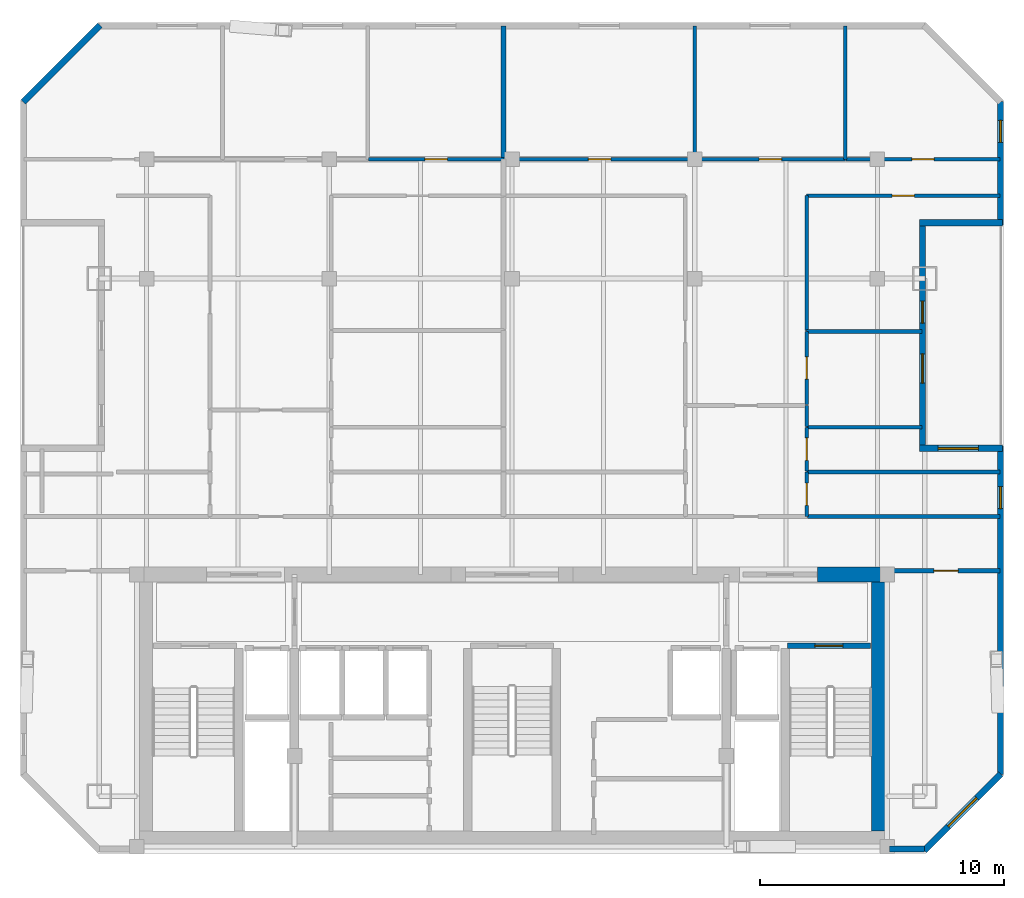
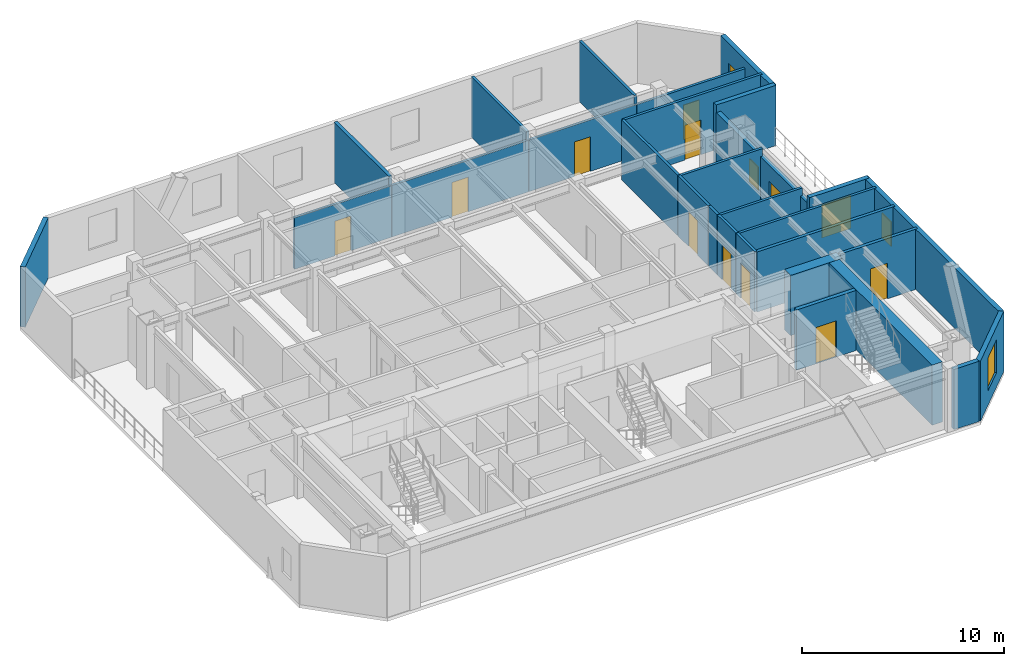
# One storey, part 5 of 7: 29 walls, 11 doors, 5 windows, 16 openings.
"""IFC4 building model written with IfcOpenShell, lengths in metres."""

import ifcopenshell
import ifcopenshell.guid

model = None  # the IFC model being written
_history = None  # IfcOwnerHistory: only IFC2X3 demands one
_inside = {}  # id of a spatial element -> (the spatial element, [elements in it])
_under = {}  # id of a project, library or spatial element -> (it, [spatial elements below it])
_declared = {}  # id of a project -> (the project, [libraries it declares])
_typed = {}  # id of a type object -> (the type object, [elements of that type])
_made_of = {}  # id of a material, layer set ... -> (it, [elements and type objects made of it])


def new_model(schema):
    """Start an empty IFC model of exactly this schema.

    Asked for "IFC4X3", IfcOpenShell would pick the latest addendum, in which some entities
    have other attributes; the version numbers below select the first issue.
    IFC2X3 requires an IfcOwnerHistory on every rooted entity: one is made here for all.
    """
    global model, _history
    if schema == "IFC4X3":
        model = ifcopenshell.file(schema_version=(4, 3, 0, 0))
    else:
        model = ifcopenshell.file(schema=schema)
    _inside.clear()
    _under.clear()
    _declared.clear()
    _typed.clear()
    _made_of.clear()
    _history = None
    if model.schema == "IFC2X3":
        org = make("IfcOrganization", Name="unknown")
        user = make(
            "IfcPersonAndOrganization",
            ThePerson=make("IfcPerson", FamilyName="unknown"),
            TheOrganization=org,
        )
        app = make(
            "IfcApplication",
            ApplicationDeveloper=org,
            Version="unknown",
            ApplicationFullName="unknown",
            ApplicationIdentifier="unknown",
        )
        _history = make(
            "IfcOwnerHistory",
            OwningUser=user,
            OwningApplication=app,
            ChangeAction="ADDED",
            CreationDate=0,
        )
    return model


def make(cls, **values):
    """One entity of the class cls with the attributes given. An attribute that is None is left unset."""
    return model.create_entity(
        cls, **{name: value for name, value in values.items() if value is not None}
    )


def rooted(cls, **values):
    """An entity with a GlobalId (a new one), such as an element, a storey or a relation."""
    return make(cls, GlobalId=ifcopenshell.guid.new(), OwnerHistory=_history, **values)


def si_unit(unit_type, name, prefix=None):
    """IfcSIUnit, for example si_unit("LENGTHUNIT", "METRE", prefix="MILLI")."""
    return make("IfcSIUnit", UnitType=unit_type, Prefix=prefix, Name=name)


def assignment(units):
    """IfcUnitAssignment: the units of a project."""
    return None if units is None else make("IfcUnitAssignment", Units=units)


def point(xyz):
    """IfcCartesianPoint."""
    return None if xyz is None else make("IfcCartesianPoint", Coordinates=xyz)


def direction(xyz):
    """IfcDirection."""
    return None if xyz is None else make("IfcDirection", DirectionRatios=xyz)


def frame(location, z_axis=None, x_axis=None):
    """IfcAxis2Placement3D, a coordinate frame: its origin and axes. An axis left out is left unset."""
    return make(
        "IfcAxis2Placement3D",
        Location=point(location),
        Axis=direction(z_axis),
        RefDirection=direction(x_axis),
    )


def frame_2d(location, x_axis=None):
    """IfcAxis2Placement2D, a coordinate frame in the plane: its origin and x axis."""
    return make(
        "IfcAxis2Placement2D", Location=point(location), RefDirection=direction(x_axis)
    )


def origin():
    """The frame at (0, 0, 0) with its axes left unset."""
    return frame((0.0, 0.0, 0.0))


def place(relative_to, where):
    """IfcLocalPlacement: puts the frame where relative to a parent placement (None: the world)."""
    return make(
        "IfcLocalPlacement", PlacementRelTo=relative_to, RelativePlacement=where
    )


def context(
    kind, dimensions, precision=None, world=None, true_north=None, identifier=None
):
    """IfcGeometricRepresentationContext, for example the 3D "Model" context."""
    return make(
        "IfcGeometricRepresentationContext",
        ContextIdentifier=identifier,
        ContextType=kind,
        CoordinateSpaceDimension=dimensions,
        Precision=precision,
        WorldCoordinateSystem=world,
        TrueNorth=true_north,
    )


def subcontext(parent, identifier, kind, view, scale=None):
    """IfcGeometricRepresentationSubContext, for example "Body" below "Model"."""
    return make(
        "IfcGeometricRepresentationSubContext",
        ContextIdentifier=identifier,
        ContextType=kind,
        ParentContext=parent,
        TargetScale=scale,
        TargetView=view,
    )


def project(units=None, contexts=None):
    """IfcProject with its units and contexts."""
    return rooted(
        "IfcProject",
        Name="project",
        RepresentationContexts=contexts,
        UnitsInContext=assignment(units),
    )


def spatial(cls, under=None, at=None, **own):
    """A site, building, storey or space (cls), placed at a placement, below another one or the project."""
    s = rooted(cls, ObjectPlacement=at, **own)
    if under is not None:
        _under.setdefault(under.id(), (under, []))[1].append(s)
    return s


def profile(cls, at=None, kind="AREA", **sizes):
    """A parametric profile (cls). Its sizes go by their IFC names, for example OverallWidth=200.0."""
    return make(cls, ProfileType=kind, Position=at, **sizes)


def rectangle(**sizes):
    """IfcRectangleProfileDef."""
    return profile("IfcRectangleProfileDef", **sizes)


def extrude(swept, where, along, depth):
    """IfcExtrudedAreaSolid: the profile swept, set in the frame where, extruded along a direction by depth."""
    return make(
        "IfcExtrudedAreaSolid",
        SweptArea=swept,
        Position=where,
        ExtrudedDirection=direction(along),
        Depth=depth,
    )


def shape(context_of_items, identifier, shape_type, items):
    """IfcShapeRepresentation: the items that make up one representation, for example the "Body"."""
    return make(
        "IfcShapeRepresentation",
        ContextOfItems=context_of_items,
        RepresentationIdentifier=identifier,
        RepresentationType=shape_type,
        Items=items,
    )


def material(Name=None, Category=None):
    """IfcMaterial."""
    return make("IfcMaterial", Name=Name, Category=Category)


def layer(
    of_material, thickness, ventilated=None, Name=None, Category=None, Priority=None
):
    """IfcMaterialLayer: one layer of a wall or slab, of a material (None: an air gap)."""
    return make(
        "IfcMaterialLayer",
        Material=of_material,
        LayerThickness=thickness,
        IsVentilated=ventilated,
        Name=Name,
        Category=Category,
        Priority=Priority,
    )


def layer_set(layers, Name=None):
    """IfcMaterialLayerSet."""
    return make("IfcMaterialLayerSet", MaterialLayers=layers, LayerSetName=Name)


def made_of(thing, what):
    """Note that an element or type object is made of a material, layer set ...; save() writes the relation."""
    if what is not None:
        _made_of.setdefault(what.id(), (what, []))[1].append(thing)
    return thing


def type_object(cls, material=None, **own):
    """A type object (cls), such as IfcWallType, which elements share."""
    return made_of(rooted(cls, **own), material)


def element(
    cls,
    number,
    at=None,
    inside=None,
    cuts=None,
    type_object=None,
    material=None,
    context=None,
    identifier="Body",
    shape_type=None,
    held_by="IfcProductDefinitionShape",
    body=None,
    shapes=None,
    **own,
):
    """One element of the class cls, such as IfcWall. Its Tag is "e" and its number.

    at: its placement. inside: the storey or other place that contains it. cuts: it is an
    opening in that element (IfcRelVoidsElement). A single representation is given by context,
    identifier, shape_type and body (its items); several are given by shapes. held_by: the class
    of the entity that holds the representations. save() writes the other relations.
    """
    e = rooted(cls, Tag="e%d" % number, ObjectPlacement=at, **own)
    if body is not None:
        shapes = [shape(context, identifier, shape_type, body)]
    if shapes is not None:
        e.Representation = make(held_by, Representations=shapes)
    if inside is not None:
        _inside.setdefault(inside.id(), (inside, []))[1].append(e)
    if cuts is not None:
        rooted(
            "IfcRelVoidsElement", RelatingBuildingElement=cuts, RelatedOpeningElement=e
        )
    if type_object is not None:
        _typed.setdefault(type_object.id(), (type_object, []))[1].append(e)
    return made_of(e, material)


def fill(opening, filler):
    """IfcRelFillsElement: the door or window that sits in an opening."""
    return rooted(
        "IfcRelFillsElement",
        RelatingOpeningElement=opening,
        RelatedBuildingElement=filler,
    )


def aggregate(whole, parts):
    """IfcRelAggregates: a whole, such as a stair, and the parts it consists of."""
    return rooted("IfcRelAggregates", RelatingObject=whole, RelatedObjects=parts)


def save(model, path):
    """Write the relations noted so far, then the file.

    IfcRelAggregates (storeys below a building ...), IfcRelContainedInSpatialStructure (elements
    in a storey), IfcRelDefinesByType, IfcRelAssociatesMaterial and IfcRelDeclares: one each for
    every whole, place, type object, material and project.
    """
    for whole, parts in _under.values():
        aggregate(whole, parts)
    for where, things in _inside.values():
        rooted(
            "IfcRelContainedInSpatialStructure",
            RelatedElements=things,
            RelatingStructure=where,
        )
    for kind, things in _typed.values():
        rooted("IfcRelDefinesByType", RelatedObjects=things, RelatingType=kind)
    for what, things in _made_of.values():
        rooted("IfcRelAssociatesMaterial", RelatedObjects=things, RelatingMaterial=what)
    for by, libraries in _declared.values():
        rooted("IfcRelDeclares", RelatingContext=by, RelatedDefinitions=libraries)
    model.write(path)


model = new_model("IFC4")

# Units and contexts
model_context = context("Model", 3, precision=1e-05, world=origin(), true_north=direction((0.0, 1.0)))
body_context = subcontext(model_context, "Body", "Model", "MODEL_VIEW")
ifc_project = project(units=[si_unit("LENGTHUNIT", "METRE"), si_unit("AREAUNIT", "SQUARE_METRE"), si_unit("VOLUMEUNIT", "CUBIC_METRE"), si_unit("PLANEANGLEUNIT", "RADIAN"), si_unit("MASSUNIT", "GRAM", prefix="KILO")], contexts=[model_context])

# Site, building, storey
site_placement = place(None, origin())
site = spatial("IfcSite", under=ifc_project, at=site_placement, CompositionType="ELEMENT")
building_placement = place(site_placement, origin())
building = spatial("IfcBuilding", under=site, at=building_placement, Name="Ventersveld Concourse Tower", CompositionType="ELEMENT")
storey_placement = place(building_placement, frame((0.0, 0.0, 292.60009765625)))
storey = spatial("IfcBuildingStorey", under=building, at=storey_placement, Name="L72", CompositionType="ELEMENT", Elevation=292.60009765625)

# Walls
ifc_material_1 = material(Name="Concrete C50/60", Category="concrete")
ifc_layer_1 = layer(ifc_material_1, 0.60009765625)
ifc_layer_set_1 = layer_set([ifc_layer_1], Name="Concrete C50/60")
wall_type_1 = type_object("IfcWallType", Name="WL-CORE-600", PredefinedType="SHEAR", material=ifc_layer_set_1)
wall_1_placement = place(storey_placement, frame((43.800048828125, 0.919921875, 0.0), z_axis=(0.0, 0.0, 1.0), x_axis=(0.0, 1.0, 0.0)))
element("IfcWall", 1, at=wall_1_placement, inside=storey, type_object=wall_type_1, Name="L72 Rear Core East Shear Wall", PredefinedType="SHEAR", context=body_context, shape_type="SweptSolid", body=[
    extrude(rectangle(XDim=10.530029296875, YDim=0.60009765625, at=frame_2d((5.26513671875, 0.0))), origin(), (0.0, 0.0, 1.0), 3.64990234375),
])
wall_2_placement = place(storey_placement, frame((41.300048828125, 11.449951171875, 0.0), z_axis=(0.0, 0.0, 1.0), x_axis=(1.0, 0.0, 0.0)))
element("IfcWall", 2, at=wall_2_placement, inside=storey, type_object=wall_type_1, Name="L72 Rear Core North Shear Wall NE", PredefinedType="SHEAR", context=body_context, shape_type="SweptSolid", body=[
    extrude(rectangle(XDim=2.949951171875, YDim=0.60009765625, at=frame_2d((1.47509765625, 0.0))), origin(), (0.0, 0.0, 1.0), 3.64990234375),
])

# Wall, opening, door
ifc_material_2 = material(Name="Fire-rated autoclaved aerated masonry blockwork", Category="masonry")
ifc_layer_2 = layer(ifc_material_2, 0.179931640625)
ifc_layer_set_2 = layer_set([ifc_layer_2], Name="Fire-rated autoclaved aerated masonry blockwork")
wall_type_2 = type_object("IfcWallType", Name="WL-CORR-180", PredefinedType="PARTITIONING", material=ifc_layer_set_2)
wall_3_placement = place(storey_placement, frame((44.35498046875, 11.60009765625, 0.0), z_axis=(0.0, 0.0, 1.0), x_axis=(1.0, 0.0, 0.0)))
wall_3 = element("IfcWall", 3, at=wall_3_placement, inside=storey, type_object=wall_type_2, Name="L72 Interior Partition SP-L72-SE-OFF-SP-L72-COR", PredefinedType="PARTITIONING", context=body_context, shape_type="SweptSolid", body=[
    extrude(rectangle(XDim=4.42919921875, YDim=0.179931640625, at=frame_2d((2.214599609375, 0.0))), origin(), (0.0, 0.0, 1.0), 3.64990234375),
])
opening_1_placement = place(wall_3_placement, frame((1.714599609375, 0.0, 0.0)))
opening_1 = element("IfcOpeningElement", 4, at=opening_1_placement, cuts=wall_3, Name="Opening FD3", PredefinedType="OPENING", context=body_context, shape_type="SweptSolid", body=[
    extrude(rectangle(XDim=1.0, YDim=2.14990234375, at=frame_2d((0.5, 1.074951171875))), frame((0.0, 0.10009765625, 0.0), z_axis=(0.0, -1.0, 0.0), x_axis=(1.0, 0.0, 0.0)), (0.0, 0.0, 1.0), 0.199951171875),
])
ifc_material_3 = material(Name="Solid-core hardwood veneer timber", Category="wood")
door_type_1 = type_object("IfcDoorType", Name="DR-FLAT-100", OperationType="NOTDEFINED", PredefinedType="DOOR", material=ifc_material_3)
door_1_placement = place(opening_1_placement, origin())
door_1 = element("IfcDoor", 5, at=door_1_placement, inside=storey, type_object=door_type_1, Name="L72 Interior Door SP-L72-SE-OFF to SP-L72-COR (D-L72-3342)", OperationType="SINGLE_SWING_RIGHT", OverallHeight=2.14990234375, OverallWidth=1.0, PredefinedType="DOOR", context=body_context, shape_type="SweptSolid", body=[
    extrude(rectangle(XDim=1.0, YDim=2.14990234375, at=frame_2d((0.5, 1.074951171875))), frame((0.0, 0.02490234375, 0.0), z_axis=(0.0, -1.0, 0.0), x_axis=(1.0, 0.0, 0.0)), (0.0, 0.0, 1.0), 0.050048828125),
])
fill(opening_1, door_1)

# Walls
wall_4_placement = place(storey_placement, frame((40.882080078125, 13.830078125, 0.0), z_axis=(0.0, 0.0, 1.0), x_axis=(1.0, 0.0, 0.0)))
element("IfcWall", 6, at=wall_4_placement, inside=storey, type_object=wall_type_2, Name="L72 Interior Partition SP-L72-COR-SP-L72-72N2-KIT", PredefinedType="PARTITIONING", context=body_context, shape_type="SweptSolid", body=[
    extrude(rectangle(XDim=7.902099609375, YDim=0.179931640625, at=frame_2d((3.951171875, 0.0))), origin(), (0.0, 0.0, 1.0), 3.64990234375),
])
ifc_layer_3 = layer(ifc_material_2, 0.199951171875)
ifc_layer_set_3 = layer_set([ifc_layer_3], Name="Fire-rated autoclaved aerated masonry blockwork")
wall_type_3 = type_object("IfcWallType", Name="WL-DEMISE-200", PredefinedType="PARTITIONING", material=ifc_layer_set_3)
wall_5_placement = place(storey_placement, frame((28.40771484375, 28.534912109375, 0.0), z_axis=(0.0, 0.0, 1.0), x_axis=(0.0, 1.0, 0.0)))
element("IfcWall", 7, at=wall_5_placement, inside=storey, type_object=wall_type_3, Name="L72 Interior Partition SP-L72-72N1-BR3-SP-L72-72N2-BR1", PredefinedType="PARTITIONING", context=body_context, shape_type="SweptSolid", body=[
    extrude(rectangle(XDim=5.43115234375, YDim=0.199951171875, at=frame_2d((2.715576171875, 0.0))), origin(), (0.0, 0.0, 1.0), 3.64990234375),
])

# Wall, opening, door
ifc_layer_4 = layer(ifc_material_2, 0.219970703125)
ifc_layer_set_4 = layer_set([ifc_layer_4], Name="Fire-rated autoclaved aerated masonry blockwork")
wall_type_4 = type_object("IfcWallType", Name="WL-HOIST-220", PredefinedType="SOLIDWALL", material=ifc_layer_set_4)
wall_6_placement = place(storey_placement, frame((40.06005859375, 8.52001953125, 0.0), z_axis=(0.0, 0.0, 1.0), x_axis=(1.0, 0.0, 0.0)))
wall_6 = element("IfcWall", 8, at=wall_6_placement, inside=storey, type_object=wall_type_4, Name="L72 Escape Stair ST02 Fire Wall", PredefinedType="SOLIDWALL", context=body_context, shape_type="SweptSolid", body=[
    extrude(rectangle(XDim=3.39990234375, YDim=0.219970703125, at=frame_2d((1.699951171875, 0.0))), origin(), (0.0, 0.0, 1.0), 3.64990234375),
])
opening_2_placement = place(wall_6_placement, frame((1.125, 0.0, 0.0)))
opening_2 = element("IfcOpeningElement", 9, at=opening_2_placement, cuts=wall_6, Name="Opening FD1", PredefinedType="OPENING", context=body_context, shape_type="SweptSolid", body=[
    extrude(rectangle(XDim=1.14990234375, YDim=2.199951171875, at=frame_2d((0.574951171875, 1.10009765625))), frame((0.0, 0.1201171875, 0.0), z_axis=(0.0, -1.0, 0.0), x_axis=(1.0, 0.0, 0.0)), (0.0, 0.0, 1.0), 0.239990234375),
])
ifc_material_4 = material(Name="Galvanised painted steel", Category="steel")
door_type_2 = type_object("IfcDoorType", Name="DR-STAIR-115", OperationType="NOTDEFINED", PredefinedType="DOOR", material=ifc_material_4)
door_2_placement = place(opening_2_placement, origin())
door_2 = element("IfcDoor", 10, at=door_2_placement, inside=storey, type_object=door_type_2, Name="L72 Escape Stair Door ST02 (SD-L72-3329)", OperationType="SINGLE_SWING_RIGHT", OverallHeight=2.199951171875, OverallWidth=1.14990234375, PredefinedType="DOOR", context=body_context, shape_type="SweptSolid", body=[
    extrude(rectangle(XDim=1.14990234375, YDim=2.199951171875, at=frame_2d((0.574951171875, 1.10009765625))), frame((0.0, 0.02490234375, 0.0), z_axis=(0.0, -1.0, 0.0), x_axis=(1.0, 0.0, 0.0)), (0.0, 0.0, 1.0), 0.050048828125),
])
fill(opening_2, door_2)

ifc_material_5 = material(Name="Autoclaved aerated masonry blockwork", Category="masonry")
ifc_layer_5 = layer(ifc_material_5, 0.14990234375)
ifc_layer_set_5 = layer_set([ifc_layer_5], Name="Autoclaved aerated masonry blockwork")
wall_type_5 = type_object("IfcWallType", Name="WL-INT-150", PredefinedType="PARTITIONING", material=ifc_layer_set_5)
wall_7_placement = place(storey_placement, frame((22.863525390625, 28.5, 0.0), z_axis=(0.0, 0.0, 1.0), x_axis=(1.0, 0.0, 0.0)))
wall_7 = element("IfcWall", 11, at=wall_7_placement, inside=storey, type_object=wall_type_5, Name="L72 Interior Partition SP-L72-72N1-LIV-SP-L72-72N1-BR3", PredefinedType="PARTITIONING", context=body_context, shape_type="SweptSolid", body=[
    extrude(rectangle(XDim=5.54931640625, YDim=0.14990234375, at=frame_2d((2.774658203125, 0.0))), origin(), (0.0, 0.0, 1.0), 3.11669921875),
])
opening_3_placement = place(wall_7_placement, frame((2.314697265625, 0.0, 0.0)))
opening_3 = element("IfcOpeningElement", 12, at=opening_3_placement, cuts=wall_7, Name="Opening ID1", PredefinedType="OPENING", context=body_context, shape_type="SweptSolid", body=[
    extrude(rectangle(XDim=0.919921875, YDim=2.10009765625, at=frame_2d((0.4599609375, 1.050048828125))), frame((0.0, 0.0849609375, 0.0), z_axis=(0.0, -1.0, 0.0), x_axis=(1.0, 0.0, 0.0)), (0.0, 0.0, 1.0), 0.169921875),
])
door_type_3 = type_object("IfcDoorType", Name="DR-ROOM-092", OperationType="NOTDEFINED", PredefinedType="DOOR", material=ifc_material_3)
door_3_placement = place(opening_3_placement, origin())
door_3 = element("IfcDoor", 13, at=door_3_placement, inside=storey, type_object=door_type_3, Name="L72 Interior Door SP-L72-72N1-LIV to SP-L72-72N1-BR3 (D-L72-3355)", OperationType="SINGLE_SWING_LEFT", OverallHeight=2.10009765625, OverallWidth=0.919921875, PredefinedType="DOOR", context=body_context, shape_type="SweptSolid", body=[
    extrude(rectangle(XDim=0.919921875, YDim=2.10009765625, at=frame_2d((0.4599609375, 1.050048828125))), frame((0.0, 0.02490234375, 0.0), z_axis=(0.0, -1.0, 0.0), x_axis=(1.0, 0.0, 0.0)), (0.0, 0.0, 1.0), 0.050048828125),
])
fill(opening_3, door_3)

wall_8_placement = place(storey_placement, frame((40.84716796875, 13.824951171875, 0.0), z_axis=(0.0, 0.0, 1.0), x_axis=(0.0, 1.0, 0.0)))
wall_8 = element("IfcWall", 14, at=wall_8_placement, inside=storey, type_object=wall_type_5, Name="L72 Interior Partition SP-L72-72N2-FOY-SP-L72-72N2-KIT", PredefinedType="PARTITIONING", context=body_context, shape_type="SweptSolid", body=[
    extrude(rectangle(XDim=1.840087890625, YDim=0.14990234375, at=frame_2d((0.919921875, 0.0))), origin(), (0.0, 0.0, 1.0), 3.64990234375),
])
opening_4_placement = place(wall_8_placement, frame((0.4599609375, 0.0, 0.0)))
opening_4 = element("IfcOpeningElement", 15, at=opening_4_placement, cuts=wall_8, Name="Opening ID1", PredefinedType="OPENING", context=body_context, shape_type="SweptSolid", body=[
    extrude(rectangle(XDim=0.919921875, YDim=2.10009765625, at=frame_2d((0.4599609375, 1.050048828125))), frame((0.0, 0.0849609375, 0.0), z_axis=(0.0, -1.0, 0.0), x_axis=(1.0, 0.0, 0.0)), (0.0, 0.0, 1.0), 0.169921875),
])
door_4_placement = place(opening_4_placement, origin())
door_4 = element("IfcDoor", 16, at=door_4_placement, inside=storey, type_object=door_type_3, Name="L72 Interior Door SP-L72-72N2-FOY to SP-L72-72N2-KIT (D-L72-3359)", OperationType="SINGLE_SWING_LEFT", OverallHeight=2.10009765625, OverallWidth=0.919921875, PredefinedType="DOOR", context=body_context, shape_type="SweptSolid", body=[
    extrude(rectangle(XDim=0.919921875, YDim=2.10009765625, at=frame_2d((0.4599609375, 1.050048828125))), frame((0.0, 0.02490234375, 0.0), z_axis=(0.0, -1.0, 0.0), x_axis=(1.0, 0.0, 0.0)), (0.0, 0.0, 1.0), 0.050048828125),
])
fill(opening_4, door_4)

wall_9_placement = place(storey_placement, frame((40.84716796875, 15.695068359375, 0.0), z_axis=(0.0, 0.0, 1.0), x_axis=(0.0, 1.0, 0.0)))
wall_9 = element("IfcWall", 17, at=wall_9_placement, inside=storey, type_object=wall_type_5, Name="L72 Interior Partition SP-L72-72N2-FOY-SP-L72-72N2-PANR1", PredefinedType="PARTITIONING", context=body_context, shape_type="SweptSolid", body=[
    extrude(rectangle(XDim=1.800048828125, YDim=0.14990234375, at=frame_2d((0.89990234375, 0.0))), origin(), (0.0, 0.0, 1.0), 3.64990234375),
])
opening_5_placement = place(wall_9_placement, frame((0.43994140625, 0.0, 0.0)))
opening_5 = element("IfcOpeningElement", 18, at=opening_5_placement, cuts=wall_9, Name="Opening ID1", PredefinedType="OPENING", context=body_context, shape_type="SweptSolid", body=[
    extrude(rectangle(XDim=0.919921875, YDim=2.10009765625, at=frame_2d((0.4599609375, 1.050048828125))), frame((0.0, 0.0849609375, 0.0), z_axis=(0.0, -1.0, 0.0), x_axis=(1.0, 0.0, 0.0)), (0.0, 0.0, 1.0), 0.169921875),
])
door_5_placement = place(opening_5_placement, origin())
door_5 = element("IfcDoor", 19, at=door_5_placement, inside=storey, type_object=door_type_3, Name="L72 Interior Door SP-L72-72N2-FOY to SP-L72-72N2-PANR1 (D-L72-3360)", OperationType="SINGLE_SWING_RIGHT", OverallHeight=2.10009765625, OverallWidth=0.919921875, PredefinedType="DOOR", context=body_context, shape_type="SweptSolid", body=[
    extrude(rectangle(XDim=0.919921875, YDim=2.10009765625, at=frame_2d((0.4599609375, 1.050048828125))), frame((0.0, 0.02490234375, 0.0), z_axis=(0.0, -1.0, 0.0), x_axis=(1.0, 0.0, 0.0)), (0.0, 0.0, 1.0), 0.050048828125),
])
fill(opening_5, door_5)

# Wall
wall_10_placement = place(storey_placement, frame((40.84716796875, 17.52490234375, 0.0), z_axis=(0.0, 0.0, 1.0), x_axis=(0.0, 1.0, 0.0)))
element("IfcWall", 20, at=wall_10_placement, inside=storey, type_object=wall_type_5, Name="L72 Interior Partition SP-L72-72N2-FOY-SP-L72-72N2-DENR", PredefinedType="PARTITIONING", context=body_context, shape_type="SweptSolid", body=[
    extrude(rectangle(XDim=0.871337890625, YDim=0.14990234375, at=frame_2d((0.435546875, 0.0))), origin(), (0.0, 0.0, 1.0), 3.64990234375),
])

# Wall, opening, door
wall_11_placement = place(storey_placement, frame((40.84716796875, 18.42626953125, 0.0), z_axis=(0.0, 0.0, 1.0), x_axis=(0.0, 1.0, 0.0)))
wall_11 = element("IfcWall", 21, at=wall_11_placement, inside=storey, type_object=wall_type_5, Name="L72 Interior Partition SP-L72-72N2-LIV-SP-L72-72N2-DENR", PredefinedType="PARTITIONING", context=body_context, shape_type="SweptSolid", body=[
    extrude(rectangle(XDim=3.0068359375, YDim=0.14990234375, at=frame_2d((1.50341796875, 0.0))), origin(), (0.0, 0.0, 1.0), 3.64990234375),
])
opening_6_placement = place(wall_11_placement, frame((1.04345703125, 0.0, 0.0)))
opening_6 = element("IfcOpeningElement", 22, at=opening_6_placement, cuts=wall_11, Name="Opening ID1", PredefinedType="OPENING", context=body_context, shape_type="SweptSolid", body=[
    extrude(rectangle(XDim=0.919921875, YDim=2.10009765625, at=frame_2d((0.4599609375, 1.050048828125))), frame((0.0, 0.0849609375, 0.0), z_axis=(0.0, -1.0, 0.0), x_axis=(1.0, 0.0, 0.0)), (0.0, 0.0, 1.0), 0.169921875),
])
door_6_placement = place(opening_6_placement, origin())
door_6 = element("IfcDoor", 23, at=door_6_placement, inside=storey, type_object=door_type_3, Name="L72 Interior Door SP-L72-72N2-LIV to SP-L72-72N2-DENR (D-L72-3362)", OperationType="SINGLE_SWING_RIGHT", OverallHeight=2.10009765625, OverallWidth=0.919921875, PredefinedType="DOOR", context=body_context, shape_type="SweptSolid", body=[
    extrude(rectangle(XDim=0.919921875, YDim=2.10009765625, at=frame_2d((0.4599609375, 1.050048828125))), frame((0.0, 0.02490234375, 0.0), z_axis=(0.0, -1.0, 0.0), x_axis=(1.0, 0.0, 0.0)), (0.0, 0.0, 1.0), 0.050048828125),
])
fill(opening_6, door_6)

wall_12_placement = place(storey_placement, frame((40.842041015625, 27.0, 0.0), z_axis=(0.0, 0.0, 1.0), x_axis=(1.0, 0.0, 0.0)))
wall_12 = element("IfcWall", 24, at=wall_12_placement, inside=storey, type_object=wall_type_5, Name="L72 Interior Partition SP-L72-72N2-LIV-SP-L72-72N2-DENS2", PredefinedType="PARTITIONING", context=body_context, shape_type="SweptSolid", body=[
    extrude(rectangle(XDim=7.942138671875, YDim=0.14990234375, at=frame_2d((3.97119140625, 0.0))), origin(), (0.0, 0.0, 1.0), 3.64990234375),
])
opening_7_placement = place(wall_12_placement, frame((3.510986328125, 0.0, 0.0)))
opening_7 = element("IfcOpeningElement", 25, at=opening_7_placement, cuts=wall_12, Name="Opening ID1", PredefinedType="OPENING", context=body_context, shape_type="SweptSolid", body=[
    extrude(rectangle(XDim=0.919921875, YDim=2.10009765625, at=frame_2d((0.4599609375, 1.050048828125))), frame((0.0, 0.0849609375, 0.0), z_axis=(0.0, -1.0, 0.0), x_axis=(1.0, 0.0, 0.0)), (0.0, 0.0, 1.0), 0.169921875),
])
door_7_placement = place(opening_7_placement, origin())
door_7 = element("IfcDoor", 26, at=door_7_placement, inside=storey, type_object=door_type_3, Name="L72 Interior Door SP-L72-72N2-LIV to SP-L72-72N2-DENS2 (D-L72-3363)", OperationType="SINGLE_SWING_LEFT", OverallHeight=2.10009765625, OverallWidth=0.919921875, PredefinedType="DOOR", context=body_context, shape_type="SweptSolid", body=[
    extrude(rectangle(XDim=0.919921875, YDim=2.10009765625, at=frame_2d((0.4599609375, 1.050048828125))), frame((0.0, 0.02490234375, 0.0), z_axis=(0.0, -1.0, 0.0), x_axis=(1.0, 0.0, 0.0)), (0.0, 0.0, 1.0), 0.050048828125),
])
fill(opening_7, door_7)

# Wall
wall_13_placement = place(storey_placement, frame((40.84716796875, 21.463134765625, 0.0), z_axis=(0.0, 0.0, 1.0), x_axis=(0.0, 1.0, 0.0)))
element("IfcWall", 27, at=wall_13_placement, inside=storey, type_object=wall_type_5, Name="L72 Interior Partition SP-L72-72N2-LIV-SP-L72-72N2-DENS2", PredefinedType="PARTITIONING", context=body_context, shape_type="SweptSolid", body=[
    extrude(rectangle(XDim=5.541748046875, YDim=0.14990234375, at=frame_2d((2.77099609375, 0.0))), origin(), (0.0, 0.0, 1.0), 3.64990234375),
])

# Wall, opening, door
wall_14_placement = place(storey_placement, frame((28.44287109375, 28.5, 0.0), z_axis=(0.0, 0.0, 1.0), x_axis=(1.0, 0.0, 0.0)))
wall_14 = element("IfcWall", 28, at=wall_14_placement, inside=storey, type_object=wall_type_5, Name="L72 Interior Partition SP-L72-72N2-LIV-SP-L72-72N2-BR1", PredefinedType="PARTITIONING", context=body_context, shape_type="SweptSolid", body=[
    extrude(rectangle(XDim=7.81201171875, YDim=0.14990234375, at=frame_2d((3.906005859375, 0.0))), origin(), (0.0, 0.0, 1.0), 3.11669921875),
])
opening_8_placement = place(wall_14_placement, frame((3.446044921875, 0.0, 0.0)))
opening_8 = element("IfcOpeningElement", 29, at=opening_8_placement, cuts=wall_14, Name="Opening ID1", PredefinedType="OPENING", context=body_context, shape_type="SweptSolid", body=[
    extrude(rectangle(XDim=0.919921875, YDim=2.10009765625, at=frame_2d((0.4599609375, 1.050048828125))), frame((0.0, 0.0849609375, 0.0), z_axis=(0.0, -1.0, 0.0), x_axis=(1.0, 0.0, 0.0)), (0.0, 0.0, 1.0), 0.169921875),
])
door_8_placement = place(opening_8_placement, origin())
door_8 = element("IfcDoor", 30, at=door_8_placement, inside=storey, type_object=door_type_3, Name="L72 Interior Door SP-L72-72N2-LIV to SP-L72-72N2-BR1 (D-L72-3364)", OperationType="SINGLE_SWING_RIGHT", OverallHeight=2.10009765625, OverallWidth=0.919921875, PredefinedType="DOOR", context=body_context, shape_type="SweptSolid", body=[
    extrude(rectangle(XDim=0.919921875, YDim=2.10009765625, at=frame_2d((0.4599609375, 1.050048828125))), frame((0.0, 0.02490234375, 0.0), z_axis=(0.0, -1.0, 0.0), x_axis=(1.0, 0.0, 0.0)), (0.0, 0.0, 1.0), 0.050048828125),
])
fill(opening_8, door_8)

wall_15_placement = place(storey_placement, frame((36.284912109375, 28.5, 0.0), z_axis=(0.0, 0.0, 1.0), x_axis=(1.0, 0.0, 0.0)))
wall_15 = element("IfcWall", 31, at=wall_15_placement, inside=storey, type_object=wall_type_5, Name="L72 Interior Partition SP-L72-72N2-LIV-SP-L72-72N2-BR2", PredefinedType="PARTITIONING", context=body_context, shape_type="SweptSolid", body=[
    extrude(rectangle(XDim=6.148681640625, YDim=0.14990234375, at=frame_2d((3.07421875, 0.0))), origin(), (0.0, 0.0, 1.0), 3.11669921875),
])
opening_9_placement = place(wall_15_placement, frame((2.6142578125, 0.0, 0.0)))
opening_9 = element("IfcOpeningElement", 32, at=opening_9_placement, cuts=wall_15, Name="Opening ID1", PredefinedType="OPENING", context=body_context, shape_type="SweptSolid", body=[
    extrude(rectangle(XDim=0.919921875, YDim=2.10009765625, at=frame_2d((0.4599609375, 1.050048828125))), frame((0.0, 0.0849609375, 0.0), z_axis=(0.0, -1.0, 0.0), x_axis=(1.0, 0.0, 0.0)), (0.0, 0.0, 1.0), 0.169921875),
])
door_9_placement = place(opening_9_placement, origin())
door_9 = element("IfcDoor", 33, at=door_9_placement, inside=storey, type_object=door_type_3, Name="L72 Interior Door SP-L72-72N2-LIV to SP-L72-72N2-BR2 (D-L72-3365)", OperationType="SINGLE_SWING_LEFT", OverallHeight=2.10009765625, OverallWidth=0.919921875, PredefinedType="DOOR", context=body_context, shape_type="SweptSolid", body=[
    extrude(rectangle(XDim=0.919921875, YDim=2.10009765625, at=frame_2d((0.4599609375, 1.050048828125))), frame((0.0, 0.02490234375, 0.0), z_axis=(0.0, -1.0, 0.0), x_axis=(1.0, 0.0, 0.0)), (0.0, 0.0, 1.0), 0.050048828125),
])
fill(opening_9, door_9)

wall_16_placement = place(storey_placement, frame((42.463623046875, 28.5, 0.0), z_axis=(0.0, 0.0, 1.0), x_axis=(1.0, 0.0, 0.0)))
wall_16 = element("IfcWall", 34, at=wall_16_placement, inside=storey, type_object=wall_type_5, Name="L72 Interior Partition SP-L72-72N2-LIV-SP-L72-72N2-BR3", PredefinedType="PARTITIONING", context=body_context, shape_type="SweptSolid", body=[
    extrude(rectangle(XDim=6.320556640625, YDim=0.14990234375, at=frame_2d((3.16015625, 0.0))), origin(), (0.0, 0.0, 1.0), 3.11669921875),
])
opening_10_placement = place(wall_16_placement, frame((2.7001953125, 0.0, 0.0)))
opening_10 = element("IfcOpeningElement", 35, at=opening_10_placement, cuts=wall_16, Name="Opening ID1", PredefinedType="OPENING", context=body_context, shape_type="SweptSolid", body=[
    extrude(rectangle(XDim=0.919921875, YDim=2.10009765625, at=frame_2d((0.4599609375, 1.050048828125))), frame((0.0, 0.0849609375, 0.0), z_axis=(0.0, -1.0, 0.0), x_axis=(1.0, 0.0, 0.0)), (0.0, 0.0, 1.0), 0.169921875),
])
door_10_placement = place(opening_10_placement, origin())
door_10 = element("IfcDoor", 36, at=door_10_placement, inside=storey, type_object=door_type_3, Name="L72 Interior Door SP-L72-72N2-LIV to SP-L72-72N2-BR3 (D-L72-3366)", OperationType="SINGLE_SWING_RIGHT", OverallHeight=2.10009765625, OverallWidth=0.919921875, PredefinedType="DOOR", context=body_context, shape_type="SweptSolid", body=[
    extrude(rectangle(XDim=0.919921875, YDim=2.10009765625, at=frame_2d((0.4599609375, 1.050048828125))), frame((0.0, 0.02490234375, 0.0), z_axis=(0.0, -1.0, 0.0), x_axis=(1.0, 0.0, 0.0)), (0.0, 0.0, 1.0), 0.050048828125),
])
fill(opening_10, door_10)

# Walls
wall_17_placement = place(storey_placement, frame((40.842041015625, 15.659912109375, 0.0), z_axis=(0.0, 0.0, 1.0), x_axis=(1.0, 0.0, 0.0)))
element("IfcWall", 37, at=wall_17_placement, inside=storey, type_object=wall_type_5, Name="L72 Interior Partition SP-L72-72N2-KIT-SP-L72-72N2-PANR1", PredefinedType="PARTITIONING", context=body_context, shape_type="SweptSolid", body=[
    extrude(rectangle(XDim=7.942138671875, YDim=0.14990234375, at=frame_2d((3.97119140625, 0.0))), origin(), (0.0, 0.0, 1.0), 3.64990234375),
])
for number, where, z_axis, x_axis, name in (
    (38, (40.842041015625, 17.489990234375, 0.0), (0.0, 0.0, 1.0), (1.0, 0.0, 0.0), "L72 Interior Partition SP-L72-72N2-PANR1-SP-L72-72N2-DENR"),
    (39, (40.842041015625, 21.427978515625, 0.0), (0.0, 0.0, 1.0), (1.0, 0.0, 0.0), "L72 Interior Partition SP-L72-72N2-DENR-SP-L72-72N2-DENS2"),
):
    element("IfcWall", number, at=place(storey_placement, frame(where, z_axis=z_axis, x_axis=x_axis)), inside=storey, type_object=wall_type_5, Name=name, PredefinedType="PARTITIONING", context=body_context, shape_type="SweptSolid", body=[
        extrude(rectangle(XDim=4.741943359375, YDim=0.14990234375, at=frame_2d((2.37109375, 0.0))), origin(), (0.0, 0.0, 1.0), 3.64990234375),
    ])
for number, where, z_axis, x_axis, name in (
    (40, (36.25, 28.4951171875, 0.0), (0.0, 0.0, 1.0), (0.0, 1.0, 0.0), "L72 Interior Partition SP-L72-72N2-BR1-SP-L72-72N2-BR2"),
    (41, (42.4287109375, 28.4951171875, 0.0), (0.0, 0.0, 1.0), (0.0, 1.0, 0.0), "L72 Interior Partition SP-L72-72N2-BR2-SP-L72-72N2-BR3"),
):
    element("IfcWall", number, at=place(storey_placement, frame(where, z_axis=z_axis, x_axis=x_axis)), inside=storey, type_object=wall_type_5, Name=name, PredefinedType="PARTITIONING", context=body_context, shape_type="SweptSolid", body=[
        extrude(rectangle(XDim=5.470947265625, YDim=0.14990234375, at=frame_2d((2.7353515625, 0.0))), origin(), (0.0, 0.0, 1.0), 3.64990234375),
    ])
ifc_material_6 = material(Name="Precast concrete C45/55", Category="concrete")
ifc_layer_6 = layer(ifc_material_6, 0.260009765625)
ifc_layer_set_6 = layer_set([ifc_layer_6], Name="Precast concrete C45/55")
wall_type_6 = type_object("IfcWallType", Name="WL-PREC-260", PredefinedType="SOLIDWALL", material=ifc_layer_set_6)
wall_18_placement = place(storey_placement, frame((44.25, 0.179931640625, 0.0), z_axis=(0.0, 0.0, 1.0), x_axis=(1.0, 0.0, 0.0)))
element("IfcWall", 42, at=wall_18_placement, inside=storey, type_object=wall_type_6, Name="L72 South-East Flank Precast Wall", PredefinedType="SOLIDWALL", context=body_context, shape_type="SweptSolid", body=[
    extrude(rectangle(XDim=1.443603515625, YDim=0.260009765625, at=frame_2d((0.7216796875, 0.0))), origin(), (0.0, 0.0, 1.0), 3.64990234375),
])

# Wall, opening, window
wall_19_placement = place(storey_placement, frame((45.669921875, 0.1201171875, 0.0), z_axis=(0.0, 0.0, 1.0), x_axis=(0.707106781187, 0.707106781187, 0.0)))
wall_19 = element("IfcWall", 43, at=wall_19_placement, inside=storey, type_object=wall_type_6, Name="L72 Highveld Precast Facade Wall E02", PredefinedType="SOLIDWALL", context=body_context, shape_type="SweptSolid", body=[
    extrude(rectangle(XDim=4.445556640625, YDim=0.260009765625, at=frame_2d((2.22265625, 0.0))), origin(), (0.0, 0.0, 1.0), 3.64990234375),
])
opening_11_placement = place(wall_19_placement, frame((1.397705078125, 0.0, 0.8798828125)))
opening_11 = element("IfcOpeningElement", 44, at=opening_11_placement, cuts=wall_19, Name="Opening W6", PredefinedType="OPENING", context=body_context, shape_type="SweptSolid", body=[
    extrude(rectangle(XDim=1.64990234375, YDim=2.0, at=frame_2d((0.824951171875, 1.0))), frame((0.0, 0.14013671875, 0.0), z_axis=(0.0, -1.0, 0.0), x_axis=(1.0, 0.0, 0.0)), (0.0, 0.0, 1.0), 0.280029296875),
])
ifc_material_7 = material(Name="Tempered acoustic Low-E IGU", Category="glass")
window_type_1 = type_object("IfcWindowType", Name="WIN-165x200", PartitioningType="SINGLE_PANEL", PredefinedType="WINDOW", material=ifc_material_7)
window_1_placement = place(opening_11_placement, origin())
window_1 = element("IfcWindow", 45, at=window_1_placement, inside=storey, type_object=window_type_1, Name="L72 Punched Low-E Window W-1024", OverallHeight=2.0, OverallWidth=1.64990234375, PartitioningType="SINGLE_PANEL", PredefinedType="WINDOW", context=body_context, shape_type="SweptSolid", body=[
    extrude(rectangle(XDim=1.64990234375, YDim=2.0, at=frame_2d((0.824951171875, 1.0))), frame((0.0, 0.030029296875, 0.0), z_axis=(0.0, -1.0, 0.0), x_axis=(1.0, 0.0, 0.0)), (0.0, 0.0, 1.0), 0.06005859375),
])
fill(opening_11, window_1)

wall_20_placement = place(storey_placement, frame((48.8037109375, 3.239990234375, 0.0), z_axis=(0.0, 0.0, 1.0), x_axis=(0.0, 1.0, 0.0)))
wall_20 = element("IfcWall", 46, at=wall_20_placement, inside=storey, type_object=wall_type_6, Name="L72 Highveld Precast Facade Wall E03", PredefinedType="SOLIDWALL", context=body_context, shape_type="SweptSolid", body=[
    extrude(rectangle(XDim=13.477783203125, YDim=0.260009765625, at=frame_2d((6.73876953125, 0.0))), origin(), (0.0, 0.0, 1.0), 3.64990234375),
])
opening_12_placement = place(wall_20_placement, frame((10.918701171875, 0.0, 0.949951171875)))
opening_12 = element("IfcOpeningElement", 47, at=opening_12_placement, cuts=wall_20, Name="Opening W4", PredefinedType="OPENING", context=body_context, shape_type="SweptSolid", body=[
    extrude(rectangle(XDim=0.89990234375, YDim=1.5, at=frame_2d((0.449951171875, 0.75))), frame((0.0, 0.14013671875, 0.0), z_axis=(0.0, -1.0, 0.0), x_axis=(1.0, 0.0, 0.0)), (0.0, 0.0, 1.0), 0.280029296875),
])
window_type_2 = type_object("IfcWindowType", Name="WIN-090x150", PartitioningType="SINGLE_PANEL", PredefinedType="WINDOW", material=ifc_material_7)
window_2_placement = place(opening_12_placement, origin())
window_2 = element("IfcWindow", 48, at=window_2_placement, inside=storey, type_object=window_type_2, Name="L72 Punched Low-E Window W-1029", OverallHeight=1.5, OverallWidth=0.89990234375, PartitioningType="SINGLE_PANEL", PredefinedType="WINDOW", context=body_context, shape_type="SweptSolid", body=[
    extrude(rectangle(XDim=0.89990234375, YDim=1.5, at=frame_2d((0.449951171875, 0.75))), frame((0.0, 0.030029296875, 0.0), z_axis=(0.0, -1.0, 0.0), x_axis=(1.0, 0.0, 0.0)), (0.0, 0.0, 1.0), 0.06005859375),
])
fill(opening_12, window_2)

wall_21_placement = place(storey_placement, frame((48.8935546875, 16.627685546875, 0.0), z_axis=(0.0, 0.0, 1.0), x_axis=(-1.0, 0.0, 0.0)))
wall_21 = element("IfcWall", 49, at=wall_21_placement, inside=storey, type_object=wall_type_6, Name="L72 Highveld Precast Facade Wall E04", PredefinedType="SOLIDWALL", context=body_context, shape_type="SweptSolid", body=[
    extrude(rectangle(XDim=3.419921875, YDim=0.260009765625, at=frame_2d((1.7099609375, 0.0))), origin(), (0.0, 0.0, 1.0), 3.64990234375),
])
opening_13_placement = place(wall_21_placement, frame((1.0, 0.0, 0.8798828125)))
opening_13 = element("IfcOpeningElement", 50, at=opening_13_placement, cuts=wall_21, Name="Opening W6", PredefinedType="OPENING", context=body_context, shape_type="SweptSolid", body=[
    extrude(rectangle(XDim=1.64990234375, YDim=2.0, at=frame_2d((0.824951171875, 1.0))), frame((0.0, 0.14013671875, 0.0), z_axis=(0.0, -1.0, 0.0), x_axis=(1.0, 0.0, 0.0)), (0.0, 0.0, 1.0), 0.280029296875),
])
window_3_placement = place(opening_13_placement, origin())
window_3 = element("IfcWindow", 51, at=window_3_placement, inside=storey, type_object=window_type_1, Name="L72 Punched Low-E Window W-1030", OverallHeight=2.0, OverallWidth=1.64990234375, PartitioningType="SINGLE_PANEL", PredefinedType="WINDOW", context=body_context, shape_type="SweptSolid", body=[
    extrude(rectangle(XDim=1.64990234375, YDim=2.0, at=frame_2d((0.824951171875, 1.0))), frame((0.0, 0.030029296875, 0.0), z_axis=(0.0, -1.0, 0.0), x_axis=(1.0, 0.0, 0.0)), (0.0, 0.0, 1.0), 0.06005859375),
])
fill(opening_13, window_3)

# Wall, openings, door, window
wall_22_placement = place(storey_placement, frame((45.603515625, 16.7578125, 0.0), z_axis=(0.0, 0.0, 1.0), x_axis=(0.0, 1.0, 0.0)))
wall_22 = element("IfcWall", 52, at=wall_22_placement, inside=storey, type_object=wall_type_6, Name="L72 Highveld Precast Facade Wall E05", PredefinedType="SOLIDWALL", context=body_context, shape_type="SweptSolid", body=[
    extrude(rectangle(XDim=9.0, YDim=0.260009765625, at=frame_2d((4.5, 0.0))), origin(), (0.0, 0.0, 1.0), 3.18994140625),
])
opening_14_placement = place(wall_22_placement, frame((2.550048828125, 0.0, 0.0)))
opening_14 = element("IfcOpeningElement", 53, at=opening_14_placement, cuts=wall_22, Name="Opening TD1", PredefinedType="OPENING", context=body_context, shape_type="SweptSolid", body=[
    extrude(rectangle(XDim=1.199951171875, YDim=2.199951171875, at=frame_2d((0.60009765625, 1.10009765625))), frame((0.0, 0.14013671875, 0.0), z_axis=(0.0, -1.0, 0.0), x_axis=(1.0, 0.0, 0.0)), (0.0, 0.0, 1.0), 0.280029296875),
])
opening_15_placement = place(wall_22_placement, frame((5.014404296875, 0.0, 0.85009765625)))
opening_15 = element("IfcOpeningElement", 54, at=opening_15_placement, cuts=wall_22, Name="Opening W8", PredefinedType="OPENING", context=body_context, shape_type="SweptSolid", body=[
    extrude(rectangle(XDim=0.89990234375, YDim=1.39990234375, at=frame_2d((0.449951171875, 0.699951171875))), frame((0.0, 0.14013671875, 0.0), z_axis=(0.0, -1.0, 0.0), x_axis=(1.0, 0.0, 0.0)), (0.0, 0.0, 1.0), 0.280029296875),
])
ifc_material_8 = material(Name="Anodised aluminium EN AW-6063-T6", Category="aluminium")
door_type_4 = type_object("IfcDoorType", Name="DR-TERR-120", OperationType="NOTDEFINED", PredefinedType="DOOR", material=ifc_material_8)
door_11_placement = place(opening_14_placement, frame((1.199951171875, 0.0, 0.0), z_axis=(0.0, 0.0, 1.0), x_axis=(-1.0, 0.0, 0.0)))
door_11 = element("IfcDoor", 55, at=door_11_placement, inside=storey, type_object=door_type_4, Name="L72 Stepped Valley Terrace Door TD-L72-02", OperationType="SINGLE_SWING_RIGHT", OverallHeight=2.199951171875, OverallWidth=1.199951171875, PredefinedType="DOOR", context=body_context, shape_type="SweptSolid", body=[
    extrude(rectangle(XDim=1.199951171875, YDim=2.199951171875, at=frame_2d((0.60009765625, 1.10009765625))), frame((0.0, 0.02490234375, 0.0), z_axis=(0.0, -1.0, 0.0), x_axis=(1.0, 0.0, 0.0)), (0.0, 0.0, 1.0), 0.050048828125),
])
fill(opening_14, door_11)
window_type_3 = type_object("IfcWindowType", Name="WIN-090x140", PartitioningType="SINGLE_PANEL", PredefinedType="WINDOW", material=ifc_material_7)
window_4_placement = place(opening_15_placement, origin())
window_4 = element("IfcWindow", 56, at=window_4_placement, inside=storey, type_object=window_type_3, Name="L72 Punched Low-E Window W-1031", OverallHeight=1.39990234375, OverallWidth=0.89990234375, PartitioningType="SINGLE_PANEL", PredefinedType="WINDOW", context=body_context, shape_type="SweptSolid", body=[
    extrude(rectangle(XDim=0.89990234375, YDim=1.39990234375, at=frame_2d((0.449951171875, 0.699951171875))), frame((0.0, 0.030029296875, 0.0), z_axis=(0.0, -1.0, 0.0), x_axis=(1.0, 0.0, 0.0)), (0.0, 0.0, 1.0), 0.06005859375),
])
fill(opening_15, window_4)

# Wall
wall_23_placement = place(storey_placement, frame((45.4736328125, 25.8876953125, 0.0), z_axis=(0.0, 0.0, 1.0), x_axis=(1.0, 0.0, 0.0)))
element("IfcWall", 57, at=wall_23_placement, inside=storey, type_object=wall_type_6, Name="L72 Highveld Precast Facade Wall E06", PredefinedType="SOLIDWALL", context=body_context, shape_type="SweptSolid", body=[
    extrude(rectangle(XDim=3.419921875, YDim=0.260009765625, at=frame_2d((1.7099609375, 0.0))), origin(), (0.0, 0.0, 1.0), 3.64990234375),
])

# Wall, opening, window
wall_24_placement = place(storey_placement, frame((48.8037109375, 25.7978515625, 0.0), z_axis=(0.0, 0.0, 1.0), x_axis=(0.0, 1.0, 0.0)))
wall_24 = element("IfcWall", 58, at=wall_24_placement, inside=storey, type_object=wall_type_6, Name="L72 Highveld Precast Facade Wall E07", PredefinedType="SOLIDWALL", context=body_context, shape_type="SweptSolid", body=[
    extrude(rectangle(XDim=5.07763671875, YDim=0.260009765625, at=frame_2d((2.538818359375, 0.0))), origin(), (0.0, 0.0, 1.0), 3.64990234375),
])
opening_16_placement = place(wall_24_placement, frame((3.397705078125, 0.0, 0.949951171875)))
opening_16 = element("IfcOpeningElement", 59, at=opening_16_placement, cuts=wall_24, Name="Opening W4", PredefinedType="OPENING", context=body_context, shape_type="SweptSolid", body=[
    extrude(rectangle(XDim=0.89990234375, YDim=1.5, at=frame_2d((0.449951171875, 0.75))), frame((0.0, 0.14013671875, 0.0), z_axis=(0.0, -1.0, 0.0), x_axis=(1.0, 0.0, 0.0)), (0.0, 0.0, 1.0), 0.280029296875),
])
window_5_placement = place(opening_16_placement, origin())
window_5 = element("IfcWindow", 60, at=window_5_placement, inside=storey, type_object=window_type_2, Name="L72 Punched Low-E Window W-1034", OverallHeight=1.5, OverallWidth=0.89990234375, PartitioningType="SINGLE_PANEL", PredefinedType="WINDOW", context=body_context, shape_type="SweptSolid", body=[
    extrude(rectangle(XDim=0.89990234375, YDim=1.5, at=frame_2d((0.449951171875, 0.75))), frame((0.0, 0.030029296875, 0.0), z_axis=(0.0, -1.0, 0.0), x_axis=(1.0, 0.0, 0.0)), (0.0, 0.0, 1.0), 0.06005859375),
])
fill(opening_16, window_5)

# Wall
wall_25_placement = place(storey_placement, frame((11.830078125, 33.995361328125, 0.0), z_axis=(0.0, 0.0, 1.0), x_axis=(-0.707134240044, -0.707079321262, 0.0)))
element("IfcWall", 61, at=wall_25_placement, inside=storey, type_object=wall_type_6, Name="L72 Highveld Precast Facade Wall E10", PredefinedType="SOLIDWALL", context=body_context, shape_type="SweptSolid", body=[
    extrude(rectangle(XDim=4.445556640625, YDim=0.260009765625, at=frame_2d((2.22265625, 0.0))), origin(), (0.0, 0.0, 1.0), 3.64990234375),
])

save(model, "model.ifc")
